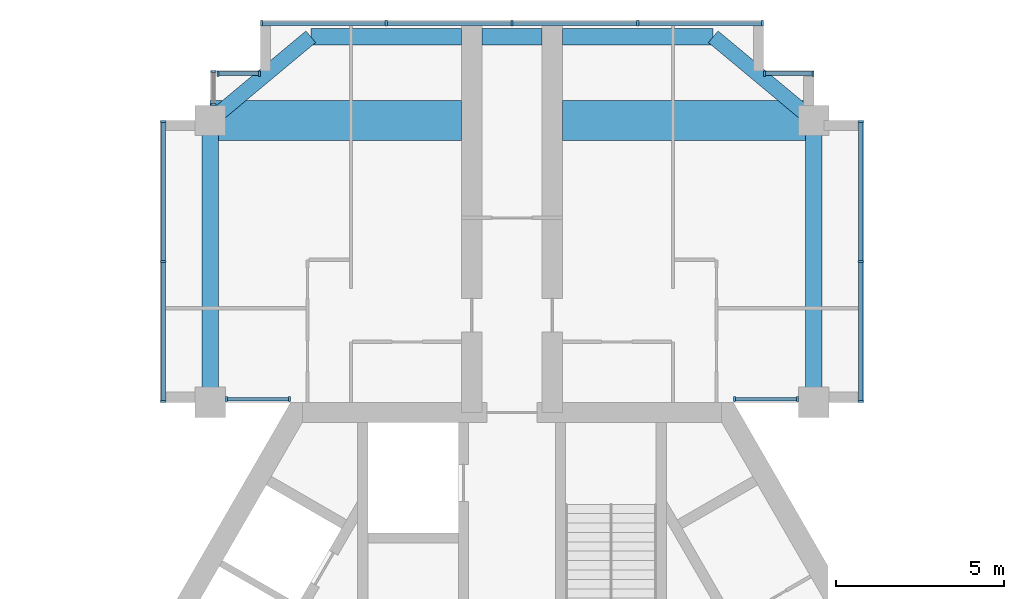
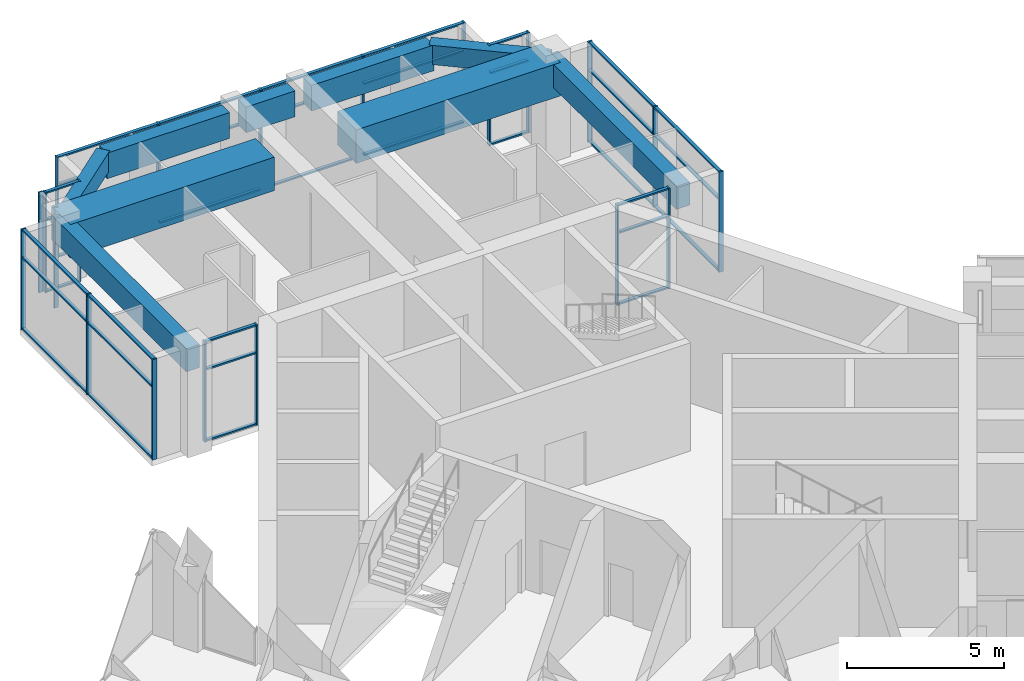
# One storey, part 6 of 14: 57 members, 9 beams, 8 elements without a shape of their own.
"""IFC4 building model written with IfcOpenShell, lengths in metres."""

from ifc_helpers import new_model, si_unit, direction, frame, origin, origin_2d, place, context, subcontext, project, spatial, rectangle, extrude, material, material_profile, profile_set, type_object, element, aggregate, save


model = new_model("IFC4")

# Units and contexts
model_context = context("Model", 3, precision=1e-05, world=origin(), true_north=direction((0.0, 1.0)))
body_context = subcontext(model_context, "Body", "Model", "MODEL_VIEW")
ifc_project = project(units=[si_unit("LENGTHUNIT", "METRE"), si_unit("AREAUNIT", "SQUARE_METRE"), si_unit("VOLUMEUNIT", "CUBIC_METRE"), si_unit("PLANEANGLEUNIT", "RADIAN"), si_unit("MASSUNIT", "GRAM", prefix="KILO")], contexts=[model_context])

# Site, building, storey
site_placement = place(None, origin())
site = spatial("IfcSite", under=ifc_project, at=site_placement, CompositionType="ELEMENT")
building_placement = place(site_placement, origin())
building = spatial("IfcBuilding", under=site, at=building_placement, Name="Impinga Residences", CompositionType="ELEMENT")
storey_placement = place(building_placement, frame((0.0, 0.0, 291.550048828125)))
storey = spatial("IfcBuildingStorey", under=building, at=storey_placement, Name="L73", CompositionType="ELEMENT", Elevation=291.550048828125)

# Beams
ifc_material_1 = material(Name="Concrete C60/75", Category="concrete")
ifc_material_profile_1 = material_profile(ifc_material_1, rectangle(XDim=0.449951171875, YDim=0.75, at=origin_2d()), Name="RC 450x750")
ifc_profile_set_1 = profile_set([ifc_material_profile_1], Name="Concrete C60/75")
beam_type_1 = type_object("IfcBeamType", Name="CB1 450x750 wing end cantilever beam", PredefinedType="BEAM", material=ifc_profile_set_1)
for number, where, z_axis, x_axis, name in (
    (1, (-9.0, 19.83154296875, 3.52490234375), (0.768221279597, 0.640184399664, 0.0), (-0.640184399664, 0.768221279597, 0.0), "Beam CB1 NB N2-NX level L74"),
    (2, (9.0, 19.83154296875, 3.52490234375), (-0.768221279597, 0.640184399664, 0.0), (-0.640184399664, -0.768221279597, 0.0), "Beam CB1 NE N2-NX level L74"),
):
    element("IfcBeam", number, at=place(storey_placement, frame(where, z_axis=z_axis, x_axis=x_axis)), inside=storey, type_object=beam_type_1, Name=name, PredefinedType="BEAM", context=body_context, shape_type="SweptSolid", body=[
        extrude(rectangle(XDim=0.449951171875, YDim=0.75, at=origin_2d()), origin(), (0.0, 0.0, 1.0), 3.905029296875),
    ])
ifc_material_profile_2 = material_profile(ifc_material_1, rectangle(XDim=1.199951171875, YDim=1.300048828125, at=origin_2d()), Name="RC 1200x1300")
ifc_profile_set_2 = profile_set([ifc_material_profile_2], Name="Concrete C60/75")
beam_type_2 = type_object("IfcBeamType", Name="CG2 1200x1300 cross girder on a wing bay line", PredefinedType="BEAM", material=ifc_profile_set_2)
for number, where, z_axis, x_axis, name in (
    (3, (-1.5, 19.83154296875, 3.25), (-1.0, 0.0, 0.0), (0.0, -1.0, 0.0), "Beam CG2 N2 NC/NA level L74"),
    (4, (1.5, 19.83154296875, 3.25), (1.0, 0.0, 0.0), (0.0, 1.0, 0.0), "Beam CG2 N2 NC/NF level L74"),
):
    element("IfcBeam", number, at=place(storey_placement, frame(where, z_axis=z_axis, x_axis=x_axis)), inside=storey, type_object=beam_type_2, Name=name, PredefinedType="BEAM", context=body_context, shape_type="SweptSolid", body=[
        extrude(rectangle(XDim=1.199951171875, YDim=1.300048828125, at=origin_2d()), origin(), (0.0, 0.0, 1.0), 7.5),
    ])

# Curtain wall, members
ifc_material_2 = material(Name="Aluminium stick curtain wall", Category="aluminium")
curtain_wall_type = type_object("IfcCurtainWallType", Name="CW3 penthouse curtain wall", PredefinedType="USERDEFINED", material=ifc_material_2)
curtain_wall_1_placement = place(storey_placement, origin())
curtain_wall_1 = element("IfcCurtainWall", 5, at=curtain_wall_1_placement, inside=storey, type_object=curtain_wall_type, Name="Curtain wall CW3 L73", ObjectType="STICK CURTAIN WALL", PredefinedType="USERDEFINED")
ifc_material_3 = material(Name="Aluminium mullion", Category="aluminium")
ifc_material_profile_3 = material_profile(ifc_material_3, rectangle(XDim=0.06005859375, YDim=0.159912109375, at=origin_2d()), Name="60x160 mullion")
ifc_profile_set_3 = profile_set([ifc_material_profile_3], Name="Aluminium mullion")
member_type_1 = type_object("IfcMemberType", Name="CW3-M mullion 60x160", PredefinedType="MULLION", material=ifc_profile_set_3)
member_1_placement = place(storey_placement, frame((-6.6298828125, 11.531494140625, 0.0), z_axis=(0.0, 0.0, 1.0), x_axis=(-1.0, 0.0, 0.0)))
member_1 = element("IfcMember", 6, at=member_1_placement, type_object=member_type_1, Name="CW3 mullion 1", PredefinedType="MULLION", context=body_context, shape_type="SweptSolid", body=[
    extrude(rectangle(XDim=0.06005859375, YDim=0.159912109375, at=origin_2d()), origin(), (0.0, 0.0, 1.0), 3.89990234375),
])
member_2_placement = place(storey_placement, frame((-8.51708984375, 11.531494140625, 0.0), z_axis=(0.0, 0.0, 1.0), x_axis=(-1.0, 0.0, 0.0)))
member_2 = element("IfcMember", 7, at=member_2_placement, type_object=member_type_1, Name="CW3 mullion 2", PredefinedType="MULLION", context=body_context, shape_type="SweptSolid", body=[
    extrude(rectangle(XDim=0.06005859375, YDim=0.159912109375, at=origin_2d()), origin(), (0.0, 0.0, 1.0), 3.89990234375),
])

curtain_wall_2_placement = place(storey_placement, origin())
curtain_wall_2 = element("IfcCurtainWall", 8, at=curtain_wall_2_placement, inside=storey, type_object=curtain_wall_type, Name="Curtain wall CW3 L73", ObjectType="STICK CURTAIN WALL", PredefinedType="USERDEFINED")
member_3_placement = place(storey_placement, frame((-10.39990234375, 11.46142578125, 0.0), z_axis=(0.0, 0.0, 1.0), x_axis=(0.0, 1.0, 0.0)))
member_3 = element("IfcMember", 9, at=member_3_placement, type_object=member_type_1, Name="CW3 mullion 1", PredefinedType="MULLION", context=body_context, shape_type="SweptSolid", body=[
    extrude(rectangle(XDim=0.06005859375, YDim=0.159912109375, at=origin_2d()), origin(), (0.0, 0.0, 1.0), 3.89990234375),
])
member_4_placement = place(storey_placement, frame((-10.39990234375, 15.631591796875, 0.0), z_axis=(0.0, 0.0, 1.0), x_axis=(0.0, 1.0, 0.0)))
member_4 = element("IfcMember", 10, at=member_4_placement, type_object=member_type_1, Name="CW3 mullion 2", PredefinedType="MULLION", context=body_context, shape_type="SweptSolid", body=[
    extrude(rectangle(XDim=0.06005859375, YDim=0.159912109375, at=origin_2d()), origin(), (0.0, 0.0, 1.0), 3.89990234375),
])
member_5_placement = place(storey_placement, frame((-10.39990234375, 19.801513671875, 0.0), z_axis=(0.0, 0.0, 1.0), x_axis=(0.0, 1.0, 0.0)))
member_5 = element("IfcMember", 11, at=member_5_placement, type_object=member_type_1, Name="CW3 mullion 3", PredefinedType="MULLION", context=body_context, shape_type="SweptSolid", body=[
    extrude(rectangle(XDim=0.06005859375, YDim=0.159912109375, at=origin_2d()), origin(), (0.0, 0.0, 1.0), 3.89990234375),
])

curtain_wall_3_placement = place(storey_placement, origin())
curtain_wall_3 = element("IfcCurtainWall", 12, at=curtain_wall_3_placement, inside=storey, type_object=curtain_wall_type, Name="Curtain wall CW3 L73", ObjectType="STICK CURTAIN WALL", PredefinedType="USERDEFINED")
member_6_placement = place(storey_placement, frame((-8.89990234375, 20.314453125, 0.0), z_axis=(0.0, 0.0, 1.0), x_axis=(0.0, 1.0, 0.0)))
member_6 = element("IfcMember", 13, at=member_6_placement, type_object=member_type_1, Name="CW3 mullion 1", PredefinedType="MULLION", context=body_context, shape_type="SweptSolid", body=[
    extrude(rectangle(XDim=0.06005859375, YDim=0.159912109375, at=origin_2d()), origin(), (0.0, 0.0, 1.0), 3.89990234375),
])
member_7_placement = place(storey_placement, frame((-8.89990234375, 21.301513671875, 0.0), z_axis=(0.0, 0.0, 1.0), x_axis=(0.0, 1.0, 0.0)))
member_7 = element("IfcMember", 14, at=member_7_placement, type_object=member_type_1, Name="CW3 mullion 2", PredefinedType="MULLION", context=body_context, shape_type="SweptSolid", body=[
    extrude(rectangle(XDim=0.06005859375, YDim=0.159912109375, at=origin_2d()), origin(), (0.0, 0.0, 1.0), 3.89990234375),
])
aggregate(curtain_wall_3, [member_6, member_7])

curtain_wall_4_placement = place(storey_placement, origin())
curtain_wall_4 = element("IfcCurtainWall", 15, at=curtain_wall_4_placement, inside=storey, type_object=curtain_wall_type, Name="Curtain wall CW3 L73", ObjectType="STICK CURTAIN WALL", PredefinedType="USERDEFINED")
member_8_placement = place(storey_placement, frame((-8.77001953125, 21.2314453125, 0.0), z_axis=(0.0, 0.0, 1.0), x_axis=(1.0, 0.0, 0.0)))
member_8 = element("IfcMember", 16, at=member_8_placement, type_object=member_type_1, Name="CW3 mullion 1", PredefinedType="MULLION", context=body_context, shape_type="SweptSolid", body=[
    extrude(rectangle(XDim=0.06005859375, YDim=0.159912109375, at=origin_2d()), origin(), (0.0, 0.0, 1.0), 3.89990234375),
])
member_9_placement = place(storey_placement, frame((-7.530029296875, 21.2314453125, 0.0), z_axis=(0.0, 0.0, 1.0), x_axis=(1.0, 0.0, 0.0)))
member_9 = element("IfcMember", 17, at=member_9_placement, type_object=member_type_1, Name="CW3 mullion 2", PredefinedType="MULLION", context=body_context, shape_type="SweptSolid", body=[
    extrude(rectangle(XDim=0.06005859375, YDim=0.159912109375, at=origin_2d()), origin(), (0.0, 0.0, 1.0), 3.89990234375),
])

curtain_wall_5_placement = place(storey_placement, origin())
curtain_wall_5 = element("IfcCurtainWall", 18, at=curtain_wall_5_placement, inside=storey, type_object=curtain_wall_type, Name="Curtain wall CW3 L73", ObjectType="STICK CURTAIN WALL", PredefinedType="USERDEFINED")
member_10_placement = place(storey_placement, frame((-7.469970703125, 22.7314453125, 0.0), z_axis=(0.0, 0.0, 1.0), x_axis=(1.0, 0.0, 0.0)))
member_10 = element("IfcMember", 19, at=member_10_placement, type_object=member_type_1, Name="CW3 mullion 1", PredefinedType="MULLION", context=body_context, shape_type="SweptSolid", body=[
    extrude(rectangle(XDim=0.06005859375, YDim=0.159912109375, at=origin_2d()), origin(), (0.0, 0.0, 1.0), 3.89990234375),
])
member_11_placement = place(storey_placement, frame((-3.75, 22.7314453125, 0.0), z_axis=(0.0, 0.0, 1.0), x_axis=(1.0, 0.0, 0.0)))
member_11 = element("IfcMember", 20, at=member_11_placement, type_object=member_type_1, Name="CW3 mullion 2", PredefinedType="MULLION", context=body_context, shape_type="SweptSolid", body=[
    extrude(rectangle(XDim=0.06005859375, YDim=0.159912109375, at=origin_2d()), origin(), (0.0, 0.0, 1.0), 3.89990234375),
])
member_12_placement = place(storey_placement, frame((0.0, 22.7314453125, 0.0), z_axis=(0.0, 0.0, 1.0), x_axis=(1.0, 0.0, 0.0)))
member_12 = element("IfcMember", 21, at=member_12_placement, type_object=member_type_1, Name="CW3 mullion 3", PredefinedType="MULLION", context=body_context, shape_type="SweptSolid", body=[
    extrude(rectangle(XDim=0.06005859375, YDim=0.159912109375, at=origin_2d()), origin(), (0.0, 0.0, 1.0), 3.89990234375),
])
member_13_placement = place(storey_placement, frame((3.75, 22.7314453125, 0.0), z_axis=(0.0, 0.0, 1.0), x_axis=(1.0, 0.0, 0.0)))
member_13 = element("IfcMember", 22, at=member_13_placement, type_object=member_type_1, Name="CW3 mullion 4", PredefinedType="MULLION", context=body_context, shape_type="SweptSolid", body=[
    extrude(rectangle(XDim=0.06005859375, YDim=0.159912109375, at=origin_2d()), origin(), (0.0, 0.0, 1.0), 3.89990234375),
])
member_14_placement = place(storey_placement, frame((7.469970703125, 22.7314453125, 0.0), z_axis=(0.0, 0.0, 1.0), x_axis=(1.0, 0.0, 0.0)))
member_14 = element("IfcMember", 23, at=member_14_placement, type_object=member_type_1, Name="CW3 mullion 5", PredefinedType="MULLION", context=body_context, shape_type="SweptSolid", body=[
    extrude(rectangle(XDim=0.06005859375, YDim=0.159912109375, at=origin_2d()), origin(), (0.0, 0.0, 1.0), 3.89990234375),
])

curtain_wall_6_placement = place(storey_placement, origin())
curtain_wall_6 = element("IfcCurtainWall", 24, at=curtain_wall_6_placement, inside=storey, type_object=curtain_wall_type, Name="Curtain wall CW3 L73", ObjectType="STICK CURTAIN WALL", PredefinedType="USERDEFINED")
member_15_placement = place(storey_placement, frame((7.530029296875, 21.2314453125, 0.0), z_axis=(0.0, 0.0, 1.0), x_axis=(1.0, 0.0, 0.0)))
member_15 = element("IfcMember", 25, at=member_15_placement, type_object=member_type_1, Name="CW3 mullion 1", PredefinedType="MULLION", context=body_context, shape_type="SweptSolid", body=[
    extrude(rectangle(XDim=0.06005859375, YDim=0.159912109375, at=origin_2d()), origin(), (0.0, 0.0, 1.0), 3.89990234375),
])
member_16_placement = place(storey_placement, frame((8.969970703125, 21.2314453125, 0.0), z_axis=(0.0, 0.0, 1.0), x_axis=(1.0, 0.0, 0.0)))
member_16 = element("IfcMember", 26, at=member_16_placement, type_object=member_type_1, Name="CW3 mullion 2", PredefinedType="MULLION", context=body_context, shape_type="SweptSolid", body=[
    extrude(rectangle(XDim=0.06005859375, YDim=0.159912109375, at=origin_2d()), origin(), (0.0, 0.0, 1.0), 3.89990234375),
])

curtain_wall_7_placement = place(storey_placement, origin())
curtain_wall_7 = element("IfcCurtainWall", 27, at=curtain_wall_7_placement, inside=storey, type_object=curtain_wall_type, Name="Curtain wall CW3 L73", ObjectType="STICK CURTAIN WALL", PredefinedType="USERDEFINED")
member_17_placement = place(storey_placement, frame((10.39990234375, 19.801513671875, 0.0), z_axis=(0.0, 0.0, 1.0), x_axis=(0.0, -1.0, 0.0)))
member_17 = element("IfcMember", 28, at=member_17_placement, type_object=member_type_1, Name="CW3 mullion 1", PredefinedType="MULLION", context=body_context, shape_type="SweptSolid", body=[
    extrude(rectangle(XDim=0.06005859375, YDim=0.159912109375, at=origin_2d()), origin(), (0.0, 0.0, 1.0), 3.89990234375),
])
member_18_placement = place(storey_placement, frame((10.39990234375, 15.631591796875, 0.0), z_axis=(0.0, 0.0, 1.0), x_axis=(0.0, -1.0, 0.0)))
member_18 = element("IfcMember", 29, at=member_18_placement, type_object=member_type_1, Name="CW3 mullion 2", PredefinedType="MULLION", context=body_context, shape_type="SweptSolid", body=[
    extrude(rectangle(XDim=0.06005859375, YDim=0.159912109375, at=origin_2d()), origin(), (0.0, 0.0, 1.0), 3.89990234375),
])
member_19_placement = place(storey_placement, frame((10.39990234375, 11.46142578125, 0.0), z_axis=(0.0, 0.0, 1.0), x_axis=(0.0, -1.0, 0.0)))
member_19 = element("IfcMember", 30, at=member_19_placement, type_object=member_type_1, Name="CW3 mullion 3", PredefinedType="MULLION", context=body_context, shape_type="SweptSolid", body=[
    extrude(rectangle(XDim=0.06005859375, YDim=0.159912109375, at=origin_2d()), origin(), (0.0, 0.0, 1.0), 3.89990234375),
])

curtain_wall_8_placement = place(storey_placement, origin())
curtain_wall_8 = element("IfcCurtainWall", 31, at=curtain_wall_8_placement, inside=storey, type_object=curtain_wall_type, Name="Curtain wall CW3 L73", ObjectType="STICK CURTAIN WALL", PredefinedType="USERDEFINED")
member_20_placement = place(storey_placement, frame((8.51708984375, 11.531494140625, 0.0), z_axis=(0.0, 0.0, 1.0), x_axis=(-1.0, 0.0, 0.0)))
member_20 = element("IfcMember", 32, at=member_20_placement, type_object=member_type_1, Name="CW3 mullion 1", PredefinedType="MULLION", context=body_context, shape_type="SweptSolid", body=[
    extrude(rectangle(XDim=0.06005859375, YDim=0.159912109375, at=origin_2d()), origin(), (0.0, 0.0, 1.0), 3.89990234375),
])
member_21_placement = place(storey_placement, frame((6.6298828125, 11.531494140625, 0.0), z_axis=(0.0, 0.0, 1.0), x_axis=(-1.0, 0.0, 0.0)))
member_21 = element("IfcMember", 33, at=member_21_placement, type_object=member_type_1, Name="CW3 mullion 2", PredefinedType="MULLION", context=body_context, shape_type="SweptSolid", body=[
    extrude(rectangle(XDim=0.06005859375, YDim=0.159912109375, at=origin_2d()), origin(), (0.0, 0.0, 1.0), 3.89990234375),
])

# Member
ifc_material_4 = material(Name="Aluminium transom", Category="aluminium")
ifc_material_profile_4 = material_profile(ifc_material_4, rectangle(XDim=0.06005859375, YDim=0.1201171875, at=origin_2d()), Name="60x120 transom")
ifc_profile_set_4 = profile_set([ifc_material_profile_4], Name="Aluminium transom")
member_type_2 = type_object("IfcMemberType", Name="CW3-T transom 60x120", PredefinedType="USERDEFINED", material=ifc_profile_set_4)
member_22_placement = place(storey_placement, frame((-6.659912109375, 11.531494140625, 0.030029296875), z_axis=(-1.0, 0.0, 0.0), x_axis=(0.0, 0.0, 1.0)))
member_22 = element("IfcMember", 34, at=member_22_placement, type_object=member_type_2, Name="CW3 transom 1.1", ObjectType="TRANSOM", PredefinedType="USERDEFINED", context=body_context, shape_type="SweptSolid", body=[
    extrude(rectangle(XDim=0.06005859375, YDim=0.1201171875, at=origin_2d()), origin(), (0.0, 0.0, 1.0), 1.8271484375),
])

member_23_placement = place(storey_placement, frame((-6.659912109375, 11.531494140625, 2.800048828125), z_axis=(-1.0, 0.0, 0.0), x_axis=(0.0, 0.0, 1.0)))
member_23 = element("IfcMember", 35, at=member_23_placement, type_object=member_type_2, Name="CW3 transom 1.2", ObjectType="TRANSOM", PredefinedType="USERDEFINED", context=body_context, shape_type="SweptSolid", body=[
    extrude(rectangle(XDim=0.06005859375, YDim=0.1201171875, at=origin_2d()), origin(), (0.0, 0.0, 1.0), 1.8271484375),
])

member_24_placement = place(storey_placement, frame((-6.659912109375, 11.531494140625, 3.869873046875), z_axis=(-1.0, 0.0, 0.0), x_axis=(0.0, 0.0, 1.0)))
member_24 = element("IfcMember", 36, at=member_24_placement, type_object=member_type_2, Name="CW3 transom 1.3", ObjectType="TRANSOM", PredefinedType="USERDEFINED", context=body_context, shape_type="SweptSolid", body=[
    extrude(rectangle(XDim=0.06005859375, YDim=0.1201171875, at=origin_2d()), origin(), (0.0, 0.0, 1.0), 1.8271484375),
])

aggregate(curtain_wall_1, [member_1, member_2, member_22, member_23, member_24])

member_25_placement = place(storey_placement, frame((-10.39990234375, 11.491455078125, 0.030029296875), z_axis=(0.0, 1.0, 0.0), x_axis=(0.0, 0.0, 1.0)))
member_25 = element("IfcMember", 37, at=member_25_placement, type_object=member_type_2, Name="CW3 transom 1.1", ObjectType="TRANSOM", PredefinedType="USERDEFINED", context=body_context, shape_type="SweptSolid", body=[
    extrude(rectangle(XDim=0.06005859375, YDim=0.1201171875, at=origin_2d()), origin(), (0.0, 0.0, 1.0), 4.110107421875),
])

member_26_placement = place(storey_placement, frame((-10.39990234375, 11.491455078125, 2.800048828125), z_axis=(0.0, 1.0, 0.0), x_axis=(0.0, 0.0, 1.0)))
member_26 = element("IfcMember", 38, at=member_26_placement, type_object=member_type_2, Name="CW3 transom 1.2", ObjectType="TRANSOM", PredefinedType="USERDEFINED", context=body_context, shape_type="SweptSolid", body=[
    extrude(rectangle(XDim=0.06005859375, YDim=0.1201171875, at=origin_2d()), origin(), (0.0, 0.0, 1.0), 4.110107421875),
])

member_27_placement = place(storey_placement, frame((-10.39990234375, 11.491455078125, 3.869873046875), z_axis=(0.0, 1.0, 0.0), x_axis=(0.0, 0.0, 1.0)))
member_27 = element("IfcMember", 39, at=member_27_placement, type_object=member_type_2, Name="CW3 transom 1.3", ObjectType="TRANSOM", PredefinedType="USERDEFINED", context=body_context, shape_type="SweptSolid", body=[
    extrude(rectangle(XDim=0.06005859375, YDim=0.1201171875, at=origin_2d()), origin(), (0.0, 0.0, 1.0), 4.110107421875),
])

member_28_placement = place(storey_placement, frame((-10.39990234375, 15.66162109375, 0.030029296875), z_axis=(0.0, 1.0, 0.0), x_axis=(0.0, 0.0, 1.0)))
member_28 = element("IfcMember", 40, at=member_28_placement, type_object=member_type_2, Name="CW3 transom 2.1", ObjectType="TRANSOM", PredefinedType="USERDEFINED", context=body_context, shape_type="SweptSolid", body=[
    extrude(rectangle(XDim=0.06005859375, YDim=0.1201171875, at=origin_2d()), origin(), (0.0, 0.0, 1.0), 4.10986328125),
])

member_29_placement = place(storey_placement, frame((-10.39990234375, 15.66162109375, 2.800048828125), z_axis=(0.0, 1.0, 0.0), x_axis=(0.0, 0.0, 1.0)))
member_29 = element("IfcMember", 41, at=member_29_placement, type_object=member_type_2, Name="CW3 transom 2.2", ObjectType="TRANSOM", PredefinedType="USERDEFINED", context=body_context, shape_type="SweptSolid", body=[
    extrude(rectangle(XDim=0.06005859375, YDim=0.1201171875, at=origin_2d()), origin(), (0.0, 0.0, 1.0), 4.10986328125),
])

member_30_placement = place(storey_placement, frame((-10.39990234375, 15.66162109375, 3.869873046875), z_axis=(0.0, 1.0, 0.0), x_axis=(0.0, 0.0, 1.0)))
member_30 = element("IfcMember", 42, at=member_30_placement, type_object=member_type_2, Name="CW3 transom 2.3", ObjectType="TRANSOM", PredefinedType="USERDEFINED", context=body_context, shape_type="SweptSolid", body=[
    extrude(rectangle(XDim=0.06005859375, YDim=0.1201171875, at=origin_2d()), origin(), (0.0, 0.0, 1.0), 4.10986328125),
])

aggregate(curtain_wall_2, [member_3, member_4, member_5, member_25, member_26, member_27, member_28, member_29, member_30])

member_31_placement = place(storey_placement, frame((-8.739990234375, 21.2314453125, 0.030029296875), z_axis=(1.0, 0.0, 0.0), x_axis=(0.0, 0.0, 1.0)))
member_31 = element("IfcMember", 43, at=member_31_placement, type_object=member_type_2, Name="CW3 transom 1.1", ObjectType="TRANSOM", PredefinedType="USERDEFINED", context=body_context, shape_type="SweptSolid", body=[
    extrude(rectangle(XDim=0.06005859375, YDim=0.1201171875, at=origin_2d()), origin(), (0.0, 0.0, 1.0), 1.179931640625),
])

member_32_placement = place(storey_placement, frame((-8.739990234375, 21.2314453125, 2.800048828125), z_axis=(1.0, 0.0, 0.0), x_axis=(0.0, 0.0, 1.0)))
member_32 = element("IfcMember", 44, at=member_32_placement, type_object=member_type_2, Name="CW3 transom 1.2", ObjectType="TRANSOM", PredefinedType="USERDEFINED", context=body_context, shape_type="SweptSolid", body=[
    extrude(rectangle(XDim=0.06005859375, YDim=0.1201171875, at=origin_2d()), origin(), (0.0, 0.0, 1.0), 1.179931640625),
])

member_33_placement = place(storey_placement, frame((-8.739990234375, 21.2314453125, 3.869873046875), z_axis=(1.0, 0.0, 0.0), x_axis=(0.0, 0.0, 1.0)))
member_33 = element("IfcMember", 45, at=member_33_placement, type_object=member_type_2, Name="CW3 transom 1.3", ObjectType="TRANSOM", PredefinedType="USERDEFINED", context=body_context, shape_type="SweptSolid", body=[
    extrude(rectangle(XDim=0.06005859375, YDim=0.1201171875, at=origin_2d()), origin(), (0.0, 0.0, 1.0), 1.179931640625),
])

aggregate(curtain_wall_4, [member_8, member_9, member_31, member_32, member_33])

member_34_placement = place(storey_placement, frame((-7.43994140625, 22.7314453125, 0.030029296875), z_axis=(1.0, 0.0, 0.0), x_axis=(0.0, 0.0, 1.0)))
member_34 = element("IfcMember", 46, at=member_34_placement, type_object=member_type_2, Name="CW3 transom 1.1", ObjectType="TRANSOM", PredefinedType="USERDEFINED", context=body_context, shape_type="SweptSolid", body=[
    extrude(rectangle(XDim=0.06005859375, YDim=0.1201171875, at=origin_2d()), origin(), (0.0, 0.0, 1.0), 3.659912109375),
])

member_35_placement = place(storey_placement, frame((-7.43994140625, 22.7314453125, 2.800048828125), z_axis=(1.0, 0.0, 0.0), x_axis=(0.0, 0.0, 1.0)))
member_35 = element("IfcMember", 47, at=member_35_placement, type_object=member_type_2, Name="CW3 transom 1.2", ObjectType="TRANSOM", PredefinedType="USERDEFINED", context=body_context, shape_type="SweptSolid", body=[
    extrude(rectangle(XDim=0.06005859375, YDim=0.1201171875, at=origin_2d()), origin(), (0.0, 0.0, 1.0), 3.659912109375),
])

member_36_placement = place(storey_placement, frame((-7.43994140625, 22.7314453125, 3.869873046875), z_axis=(1.0, 0.0, 0.0), x_axis=(0.0, 0.0, 1.0)))
member_36 = element("IfcMember", 48, at=member_36_placement, type_object=member_type_2, Name="CW3 transom 1.3", ObjectType="TRANSOM", PredefinedType="USERDEFINED", context=body_context, shape_type="SweptSolid", body=[
    extrude(rectangle(XDim=0.06005859375, YDim=0.1201171875, at=origin_2d()), origin(), (0.0, 0.0, 1.0), 3.659912109375),
])

member_37_placement = place(storey_placement, frame((-3.719970703125, 22.7314453125, 0.030029296875), z_axis=(1.0, 0.0, 0.0), x_axis=(0.0, 0.0, 1.0)))
member_37 = element("IfcMember", 49, at=member_37_placement, type_object=member_type_2, Name="CW3 transom 2.1", ObjectType="TRANSOM", PredefinedType="USERDEFINED", context=body_context, shape_type="SweptSolid", body=[
    extrude(rectangle(XDim=0.06005859375, YDim=0.1201171875, at=origin_2d()), origin(), (0.0, 0.0, 1.0), 3.68994140625),
])

member_38_placement = place(storey_placement, frame((-3.719970703125, 22.7314453125, 2.800048828125), z_axis=(1.0, 0.0, 0.0), x_axis=(0.0, 0.0, 1.0)))
member_38 = element("IfcMember", 50, at=member_38_placement, type_object=member_type_2, Name="CW3 transom 2.2", ObjectType="TRANSOM", PredefinedType="USERDEFINED", context=body_context, shape_type="SweptSolid", body=[
    extrude(rectangle(XDim=0.06005859375, YDim=0.1201171875, at=origin_2d()), origin(), (0.0, 0.0, 1.0), 3.68994140625),
])

member_39_placement = place(storey_placement, frame((-3.719970703125, 22.7314453125, 3.869873046875), z_axis=(1.0, 0.0, 0.0), x_axis=(0.0, 0.0, 1.0)))
member_39 = element("IfcMember", 51, at=member_39_placement, type_object=member_type_2, Name="CW3 transom 2.3", ObjectType="TRANSOM", PredefinedType="USERDEFINED", context=body_context, shape_type="SweptSolid", body=[
    extrude(rectangle(XDim=0.06005859375, YDim=0.1201171875, at=origin_2d()), origin(), (0.0, 0.0, 1.0), 3.68994140625),
])

member_40_placement = place(storey_placement, frame((0.030029296875, 22.7314453125, 0.030029296875), z_axis=(1.0, 0.0, 0.0), x_axis=(0.0, 0.0, 1.0)))
member_40 = element("IfcMember", 52, at=member_40_placement, type_object=member_type_2, Name="CW3 transom 3.1", ObjectType="TRANSOM", PredefinedType="USERDEFINED", context=body_context, shape_type="SweptSolid", body=[
    extrude(rectangle(XDim=0.06005859375, YDim=0.1201171875, at=origin_2d()), origin(), (0.0, 0.0, 1.0), 3.68994140625),
])

member_41_placement = place(storey_placement, frame((0.030029296875, 22.7314453125, 2.800048828125), z_axis=(1.0, 0.0, 0.0), x_axis=(0.0, 0.0, 1.0)))
member_41 = element("IfcMember", 53, at=member_41_placement, type_object=member_type_2, Name="CW3 transom 3.2", ObjectType="TRANSOM", PredefinedType="USERDEFINED", context=body_context, shape_type="SweptSolid", body=[
    extrude(rectangle(XDim=0.06005859375, YDim=0.1201171875, at=origin_2d()), origin(), (0.0, 0.0, 1.0), 3.68994140625),
])

member_42_placement = place(storey_placement, frame((0.030029296875, 22.7314453125, 3.869873046875), z_axis=(1.0, 0.0, 0.0), x_axis=(0.0, 0.0, 1.0)))
member_42 = element("IfcMember", 54, at=member_42_placement, type_object=member_type_2, Name="CW3 transom 3.3", ObjectType="TRANSOM", PredefinedType="USERDEFINED", context=body_context, shape_type="SweptSolid", body=[
    extrude(rectangle(XDim=0.06005859375, YDim=0.1201171875, at=origin_2d()), origin(), (0.0, 0.0, 1.0), 3.68994140625),
])

member_43_placement = place(storey_placement, frame((3.780029296875, 22.7314453125, 0.030029296875), z_axis=(1.0, 0.0, 0.0), x_axis=(0.0, 0.0, 1.0)))
member_43 = element("IfcMember", 55, at=member_43_placement, type_object=member_type_2, Name="CW3 transom 4.1", ObjectType="TRANSOM", PredefinedType="USERDEFINED", context=body_context, shape_type="SweptSolid", body=[
    extrude(rectangle(XDim=0.06005859375, YDim=0.1201171875, at=origin_2d()), origin(), (0.0, 0.0, 1.0), 3.659912109375),
])

member_44_placement = place(storey_placement, frame((3.780029296875, 22.7314453125, 2.800048828125), z_axis=(1.0, 0.0, 0.0), x_axis=(0.0, 0.0, 1.0)))
member_44 = element("IfcMember", 56, at=member_44_placement, type_object=member_type_2, Name="CW3 transom 4.2", ObjectType="TRANSOM", PredefinedType="USERDEFINED", context=body_context, shape_type="SweptSolid", body=[
    extrude(rectangle(XDim=0.06005859375, YDim=0.1201171875, at=origin_2d()), origin(), (0.0, 0.0, 1.0), 3.659912109375),
])

member_45_placement = place(storey_placement, frame((3.780029296875, 22.7314453125, 3.869873046875), z_axis=(1.0, 0.0, 0.0), x_axis=(0.0, 0.0, 1.0)))
member_45 = element("IfcMember", 57, at=member_45_placement, type_object=member_type_2, Name="CW3 transom 4.3", ObjectType="TRANSOM", PredefinedType="USERDEFINED", context=body_context, shape_type="SweptSolid", body=[
    extrude(rectangle(XDim=0.06005859375, YDim=0.1201171875, at=origin_2d()), origin(), (0.0, 0.0, 1.0), 3.659912109375),
])

aggregate(curtain_wall_5, [member_10, member_11, member_12, member_13, member_14, member_34, member_35, member_36, member_37, member_38, member_39, member_40, member_41, member_42, member_43, member_44, member_45])

member_46_placement = place(storey_placement, frame((7.56005859375, 21.2314453125, 0.030029296875), z_axis=(1.0, 0.0, 0.0), x_axis=(0.0, 0.0, 1.0)))
member_46 = element("IfcMember", 58, at=member_46_placement, type_object=member_type_2, Name="CW3 transom 1.1", ObjectType="TRANSOM", PredefinedType="USERDEFINED", context=body_context, shape_type="SweptSolid", body=[
    extrude(rectangle(XDim=0.06005859375, YDim=0.1201171875, at=origin_2d()), origin(), (0.0, 0.0, 1.0), 1.3798828125),
])

member_47_placement = place(storey_placement, frame((7.56005859375, 21.2314453125, 2.800048828125), z_axis=(1.0, 0.0, 0.0), x_axis=(0.0, 0.0, 1.0)))
member_47 = element("IfcMember", 59, at=member_47_placement, type_object=member_type_2, Name="CW3 transom 1.2", ObjectType="TRANSOM", PredefinedType="USERDEFINED", context=body_context, shape_type="SweptSolid", body=[
    extrude(rectangle(XDim=0.06005859375, YDim=0.1201171875, at=origin_2d()), origin(), (0.0, 0.0, 1.0), 1.3798828125),
])

member_48_placement = place(storey_placement, frame((7.56005859375, 21.2314453125, 3.869873046875), z_axis=(1.0, 0.0, 0.0), x_axis=(0.0, 0.0, 1.0)))
member_48 = element("IfcMember", 60, at=member_48_placement, type_object=member_type_2, Name="CW3 transom 1.3", ObjectType="TRANSOM", PredefinedType="USERDEFINED", context=body_context, shape_type="SweptSolid", body=[
    extrude(rectangle(XDim=0.06005859375, YDim=0.1201171875, at=origin_2d()), origin(), (0.0, 0.0, 1.0), 1.3798828125),
])

aggregate(curtain_wall_6, [member_15, member_16, member_46, member_47, member_48])

member_49_placement = place(storey_placement, frame((10.39990234375, 19.771484375, 0.030029296875), z_axis=(0.0, -1.0, 0.0), x_axis=(0.0, 0.0, 1.0)))
member_49 = element("IfcMember", 61, at=member_49_placement, type_object=member_type_2, Name="CW3 transom 1.1", ObjectType="TRANSOM", PredefinedType="USERDEFINED", context=body_context, shape_type="SweptSolid", body=[
    extrude(rectangle(XDim=0.06005859375, YDim=0.1201171875, at=origin_2d()), origin(), (0.0, 0.0, 1.0), 4.10986328125),
])

member_50_placement = place(storey_placement, frame((10.39990234375, 19.771484375, 2.800048828125), z_axis=(0.0, -1.0, 0.0), x_axis=(0.0, 0.0, 1.0)))
member_50 = element("IfcMember", 62, at=member_50_placement, type_object=member_type_2, Name="CW3 transom 1.2", ObjectType="TRANSOM", PredefinedType="USERDEFINED", context=body_context, shape_type="SweptSolid", body=[
    extrude(rectangle(XDim=0.06005859375, YDim=0.1201171875, at=origin_2d()), origin(), (0.0, 0.0, 1.0), 4.10986328125),
])

member_51_placement = place(storey_placement, frame((10.39990234375, 19.771484375, 3.869873046875), z_axis=(0.0, -1.0, 0.0), x_axis=(0.0, 0.0, 1.0)))
member_51 = element("IfcMember", 63, at=member_51_placement, type_object=member_type_2, Name="CW3 transom 1.3", ObjectType="TRANSOM", PredefinedType="USERDEFINED", context=body_context, shape_type="SweptSolid", body=[
    extrude(rectangle(XDim=0.06005859375, YDim=0.1201171875, at=origin_2d()), origin(), (0.0, 0.0, 1.0), 4.10986328125),
])

member_52_placement = place(storey_placement, frame((10.39990234375, 15.6015625, 0.030029296875), z_axis=(0.0, -1.0, 0.0), x_axis=(0.0, 0.0, 1.0)))
member_52 = element("IfcMember", 64, at=member_52_placement, type_object=member_type_2, Name="CW3 transom 2.1", ObjectType="TRANSOM", PredefinedType="USERDEFINED", context=body_context, shape_type="SweptSolid", body=[
    extrude(rectangle(XDim=0.06005859375, YDim=0.1201171875, at=origin_2d()), origin(), (0.0, 0.0, 1.0), 4.110107421875),
])

member_53_placement = place(storey_placement, frame((10.39990234375, 15.6015625, 2.800048828125), z_axis=(0.0, -1.0, 0.0), x_axis=(0.0, 0.0, 1.0)))
member_53 = element("IfcMember", 65, at=member_53_placement, type_object=member_type_2, Name="CW3 transom 2.2", ObjectType="TRANSOM", PredefinedType="USERDEFINED", context=body_context, shape_type="SweptSolid", body=[
    extrude(rectangle(XDim=0.06005859375, YDim=0.1201171875, at=origin_2d()), origin(), (0.0, 0.0, 1.0), 4.110107421875),
])

member_54_placement = place(storey_placement, frame((10.39990234375, 15.6015625, 3.869873046875), z_axis=(0.0, -1.0, 0.0), x_axis=(0.0, 0.0, 1.0)))
member_54 = element("IfcMember", 66, at=member_54_placement, type_object=member_type_2, Name="CW3 transom 2.3", ObjectType="TRANSOM", PredefinedType="USERDEFINED", context=body_context, shape_type="SweptSolid", body=[
    extrude(rectangle(XDim=0.06005859375, YDim=0.1201171875, at=origin_2d()), origin(), (0.0, 0.0, 1.0), 4.110107421875),
])

aggregate(curtain_wall_7, [member_17, member_18, member_19, member_49, member_50, member_51, member_52, member_53, member_54])

member_55_placement = place(storey_placement, frame((8.487060546875, 11.531494140625, 0.030029296875), z_axis=(-1.0, 0.0, 0.0), x_axis=(0.0, 0.0, 1.0)))
member_55 = element("IfcMember", 67, at=member_55_placement, type_object=member_type_2, Name="CW3 transom 1.1", ObjectType="TRANSOM", PredefinedType="USERDEFINED", context=body_context, shape_type="SweptSolid", body=[
    extrude(rectangle(XDim=0.06005859375, YDim=0.1201171875, at=origin_2d()), origin(), (0.0, 0.0, 1.0), 1.8271484375),
])

member_56_placement = place(storey_placement, frame((8.487060546875, 11.531494140625, 2.800048828125), z_axis=(-1.0, 0.0, 0.0), x_axis=(0.0, 0.0, 1.0)))
member_56 = element("IfcMember", 68, at=member_56_placement, type_object=member_type_2, Name="CW3 transom 1.2", ObjectType="TRANSOM", PredefinedType="USERDEFINED", context=body_context, shape_type="SweptSolid", body=[
    extrude(rectangle(XDim=0.06005859375, YDim=0.1201171875, at=origin_2d()), origin(), (0.0, 0.0, 1.0), 1.8271484375),
])

member_57_placement = place(storey_placement, frame((8.487060546875, 11.531494140625, 3.869873046875), z_axis=(-1.0, 0.0, 0.0), x_axis=(0.0, 0.0, 1.0)))
member_57 = element("IfcMember", 69, at=member_57_placement, type_object=member_type_2, Name="CW3 transom 1.3", ObjectType="TRANSOM", PredefinedType="USERDEFINED", context=body_context, shape_type="SweptSolid", body=[
    extrude(rectangle(XDim=0.06005859375, YDim=0.1201171875, at=origin_2d()), origin(), (0.0, 0.0, 1.0), 1.8271484375),
])

aggregate(curtain_wall_8, [member_20, member_21, member_55, member_56, member_57])

# Beams
ifc_material_profile_5 = material_profile(ifc_material_1, rectangle(XDim=0.5, YDim=1.0, at=origin_2d()), Name="RC 500x1000")
ifc_profile_set_5 = profile_set([ifc_material_profile_5], Name="Concrete C60/75")
beam_type_3 = type_object("IfcBeamType", Name="EB1 500x1000 wing end beam", PredefinedType="BEAM", material=ifc_profile_set_5)
beam_1_placement = place(storey_placement, frame((-6.0, 22.33154296875, 3.39990234375), z_axis=(1.0, 0.0, 0.0), x_axis=(0.0, 1.0, 0.0)))
element("IfcBeam", 70, at=beam_1_placement, inside=storey, type_object=beam_type_3, Name="Beam EB1 NX1 level L74", PredefinedType="BEAM", context=body_context, shape_type="SweptSolid", body=[
    extrude(rectangle(XDim=0.5, YDim=1.0, at=origin_2d()), origin(), (0.0, 0.0, 1.0), 4.5),
])
beam_2_placement = place(storey_placement, frame((-0.89990234375, 22.33154296875, 3.39990234375), z_axis=(1.0, 0.0, 0.0), x_axis=(0.0, 1.0, 0.0)))
element("IfcBeam", 71, at=beam_2_placement, inside=storey, type_object=beam_type_3, Name="Beam EB1 NX1 level L74", PredefinedType="BEAM", context=body_context, shape_type="SweptSolid", body=[
    extrude(rectangle(XDim=0.5, YDim=1.0, at=origin_2d()), origin(), (0.0, 0.0, 1.0), 1.7998046875),
])
beam_3_placement = place(storey_placement, frame((1.5, 22.33154296875, 3.39990234375), z_axis=(1.0, 0.0, 0.0), x_axis=(0.0, 1.0, 0.0)))
element("IfcBeam", 72, at=beam_3_placement, inside=storey, type_object=beam_type_3, Name="Beam EB1 NX1 level L74", PredefinedType="BEAM", context=body_context, shape_type="SweptSolid", body=[
    extrude(rectangle(XDim=0.5, YDim=1.0, at=origin_2d()), origin(), (0.0, 0.0, 1.0), 4.5),
])
ifc_material_profile_6 = material_profile(ifc_material_1, rectangle(XDim=0.5, YDim=0.89990234375, at=origin_2d()), Name="RC 500x900")
ifc_profile_set_6 = profile_set([ifc_material_profile_6], Name="Concrete C60/75")
beam_type_4 = type_object("IfcBeamType", Name="SB1 500x900 perimeter spandrel beam", PredefinedType="SPANDREL", material=ifc_profile_set_6)
for number, where, z_axis, x_axis, name in (
    (73, (-9.0, 11.431640625, 3.449951171875), (0.0, 1.0, 0.0), (-1.0, 0.0, 0.0), "Beam SB1 NA N1-N2 level L74"),
    (74, (9.0, 11.431640625, 3.449951171875), (0.0, 1.0, 0.0), (-1.0, 0.0, 0.0), "Beam SB1 NF N1-N2 level L74"),
):
    element("IfcBeam", number, at=place(storey_placement, frame(where, z_axis=z_axis, x_axis=x_axis)), inside=storey, type_object=beam_type_4, Name=name, PredefinedType="SPANDREL", context=body_context, shape_type="SweptSolid", body=[
        extrude(rectangle(XDim=0.5, YDim=0.89990234375, at=origin_2d()), origin(), (0.0, 0.0, 1.0), 8.39990234375),
    ])

save(model, "model.ifc")
